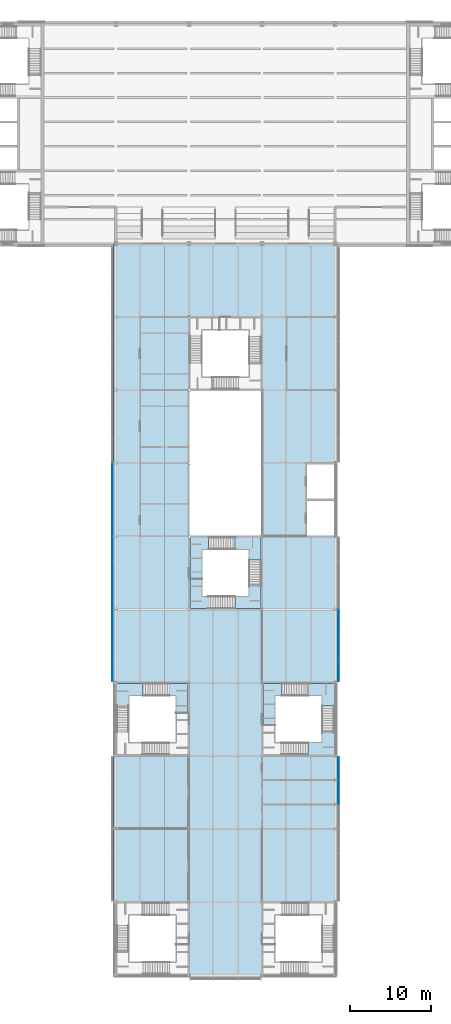
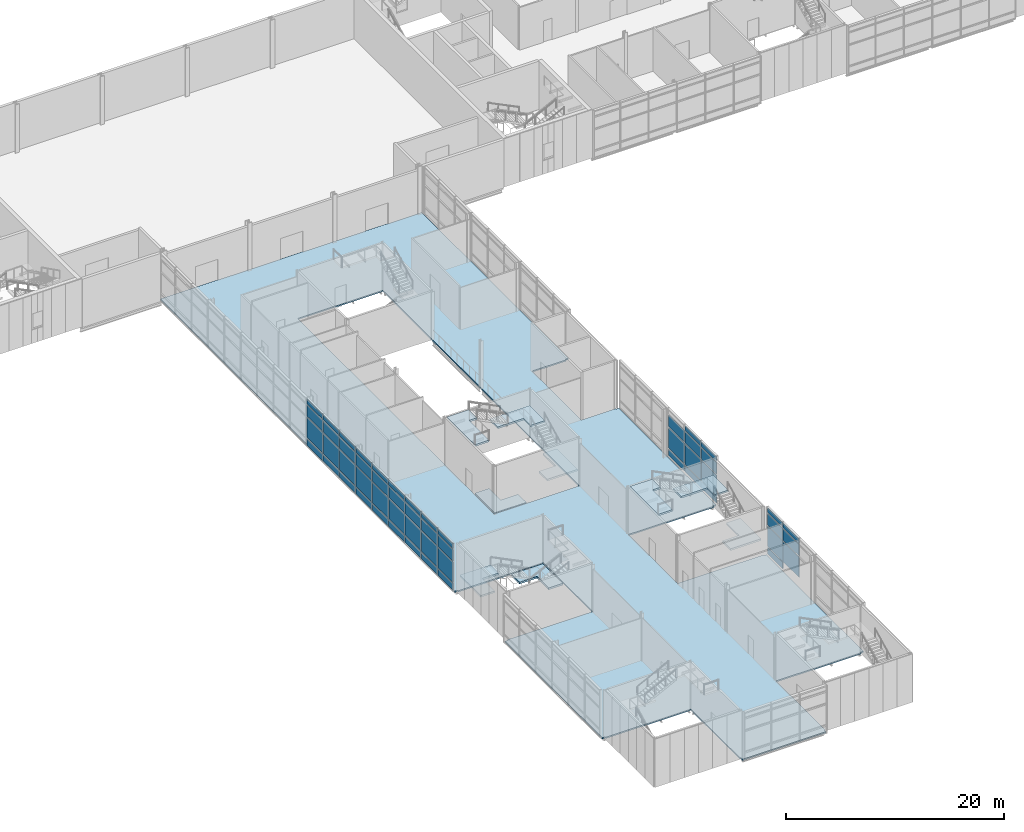
# One storey, part 26 of 52: 54 plates, 10 slabs, 6 elements without a shape of their own.
"""IFC4 building model written with IfcOpenShell, lengths in metres."""

from ifc_helpers import new_model, si_unit, direction, frame, origin, origin_2d, place, context, subcontext, project, spatial, polyline, rectangle, outline, extrude, material, layer, layer_set, type_object, element, aggregate, save


model = new_model("IFC4")

# Units and contexts
model_context = context("Model", 3, precision=1e-05, world=origin(), true_north=direction((0.0, 1.0)))
body_context = subcontext(model_context, "Body", "Model", "MODEL_VIEW")
ifc_project = project(units=[si_unit("LENGTHUNIT", "METRE"), si_unit("AREAUNIT", "SQUARE_METRE"), si_unit("VOLUMEUNIT", "CUBIC_METRE"), si_unit("PLANEANGLEUNIT", "RADIAN"), si_unit("MASSUNIT", "GRAM", prefix="KILO")], contexts=[model_context])

# Site, building, storey
site_placement = place(None, origin())
site = spatial("IfcSite", under=ifc_project, at=site_placement, CompositionType="ELEMENT")
building_placement = place(site_placement, origin())
building = spatial("IfcBuilding", under=site, at=building_placement, Name="Azimuth Sports and Learning Centre", CompositionType="ELEMENT")
storey_placement = place(building_placement, frame((0.0, 0.0, 16.199951171875)))
storey = spatial("IfcBuildingStorey", under=building, at=storey_placement, Name="L03", CompositionType="ELEMENT", Elevation=16.199951171875)

# Slab
ifc_material_1 = material(Name="Concrete C30/37", Category="concrete")
ifc_layer_1 = layer(ifc_material_1, 0.14990234375)
ifc_layer_set_1 = layer_set([ifc_layer_1], Name="Concrete C30/37")
slab_type_1 = type_object("IfcSlabType", Name="Composite floor slab 150", PredefinedType="FLOOR", material=ifc_layer_set_1)
slab_1_placement = place(storey_placement, frame((0.0, 0.0, -0.14990234375)))
element("IfcSlab", 1, at=slab_1_placement, inside=storey, type_object=slab_type_1, Name="Slab STEM L03", PredefinedType="FLOOR", context=body_context, shape_type="SweptSolid", body=[
    extrude(outline(polyline([(81.10009765625, -0.300048828125), (89.89990234375, -0.300048828125), (89.89990234375, 0.0), (90.0, 0.0), (90.0, 9.0), (99.0, 9.0), (99.0, 9.10009765625), (99.300048828125, 9.10009765625), (99.300048828125, 26.89990234375), (99.0, 26.89990234375), (99.0, 27.0), (90.0, 27.0), (90.0, 36.0), (99.0, 36.0), (99.0, 36.10009765625), (99.300048828125, 36.10009765625), (99.300048828125, 53.89990234375), (99.0, 53.89990234375), (99.0, 54.0), (95.39990234375, 54.0), (95.39990234375, 63.0), (99.0, 63.0), (99.0, 63.10009765625), (99.300048828125, 63.10009765625), (99.300048828125, 90.0), (71.699951171875, 90.0), (71.699951171875, 36.10009765625), (72.0, 36.10009765625), (72.0, 36.0), (81.0, 36.0), (81.0, 27.0), (72.0, 27.0), (72.0, 26.89990234375), (71.699951171875, 26.89990234375), (71.699951171875, 9.10009765625), (72.0, 9.10009765625), (72.0, 9.0), (81.0, 9.0), (81.0, 0.0), (81.10009765625, 0.0), (81.10009765625, -0.300048828125)]), holes=[polyline([(81.0, 45.0), (81.0, 81.0), (90.0, 81.0), (90.0, 45.0), (81.0, 45.0)])]), origin(), (0.0, 0.0, 1.0), 0.14990234375),
])

# Stair, slabs
ifc_material_2 = material(Name="Concrete C32/40", Category="concrete")
stair_type = type_object("IfcStairType", Name="Square-well stair stem cell 5400 storey", PredefinedType="THREE_QUARTER_TURN_STAIR", material=ifc_material_2)
stair_1_placement = place(storey_placement, origin())
stair_1 = element("IfcStair", 2, at=stair_1_placement, inside=storey, type_object=stair_type, Name="Stair ST3 L03-L04", PredefinedType="THREE_QUARTER_TURN_STAIR")
ifc_material_3 = material(Name="Concrete C32/40", Category="concrete")
ifc_layer_2 = layer(ifc_material_3, 0.199951171875)
ifc_layer_set_2 = layer_set([ifc_layer_2], Name="Concrete C32/40")
slab_type_2 = type_object("IfcSlabType", Name="Concrete stair landing", PredefinedType="LANDING", material=ifc_layer_set_2)
slab_2_placement = place(storey_placement, frame((0.0, 0.0, -0.199951171875)))
slab_2 = element("IfcSlab", 3, at=slab_2_placement, type_object=slab_type_2, Name="Stair ST3 L03 landing 1", PredefinedType="LANDING", context=body_context, shape_type="SweptSolid", body=[
    extrude(outline(polyline([(77.5400390625, 34.389892578125), (79.389892578125, 34.389892578125), (79.389892578125, 32.25), (80.889892578125, 32.25), (80.889892578125, 35.889892578125), (77.5400390625, 35.889892578125), (77.5400390625, 34.389892578125)])), origin(), (0.0, 0.0, 1.0), 0.199951171875),
])
slab_3_placement = place(storey_placement, frame((0.0, 0.0, 1.60009765625)))
slab_3 = element("IfcSlab", 4, at=slab_3_placement, type_object=slab_type_2, Name="Stair ST3 L03 landing 2", PredefinedType="LANDING", context=body_context, shape_type="SweptSolid", body=[
    extrude(outline(polyline([(73.610107421875, 34.389892578125), (75.3408203125, 34.389892578125), (75.3408203125, 35.889892578125), (72.110107421875, 35.889892578125), (72.110107421875, 32.090087890625), (73.610107421875, 32.090087890625), (73.610107421875, 34.389892578125)])), origin(), (0.0, 0.0, 1.0), 0.199951171875),
])
aggregate(stair_1, [slab_2, slab_3])

stair_2_placement = place(storey_placement, origin())
stair_2 = element("IfcStair", 5, at=stair_2_placement, inside=storey, type_object=stair_type, Name="Stair ST4 L03-L04", PredefinedType="THREE_QUARTER_TURN_STAIR")
slab_4_placement = place(storey_placement, frame((0.0, 0.0, 1.60009765625)))
slab_4 = element("IfcSlab", 6, at=slab_4_placement, type_object=slab_type_2, Name="Stair ST4 L03 landing 2", PredefinedType="LANDING", context=body_context, shape_type="SweptSolid", body=[
    extrude(outline(polyline([(97.389892578125, 28.610107421875), (95.6591796875, 28.610107421875), (95.6591796875, 27.110107421875), (98.889892578125, 27.110107421875), (98.889892578125, 30.909912109375), (97.389892578125, 30.909912109375), (97.389892578125, 28.610107421875)])), origin(), (0.0, 0.0, 1.0), 0.199951171875),
])
slab_5_placement = place(storey_placement, frame((0.0, 0.0, 3.400146484375)))
slab_5 = element("IfcSlab", 7, at=slab_5_placement, type_object=slab_type_2, Name="Stair ST4 L03 landing 3", PredefinedType="LANDING", context=body_context, shape_type="SweptSolid", body=[
    extrude(outline(polyline([(97.389892578125, 34.389892578125), (97.389892578125, 33.109375), (98.889892578125, 33.109375), (98.889892578125, 35.889892578125), (94.639892578125, 35.889892578125), (94.639892578125, 34.389892578125), (97.389892578125, 34.389892578125)])), origin(), (0.0, 0.0, 1.0), 0.199951171875),
])
slab_6_placement = place(storey_placement, frame((0.0, 0.0, 5.199951171875)))
slab_6 = element("IfcSlab", 8, at=slab_6_placement, type_object=slab_type_2, Name="Stair ST4 L03 landing 4", PredefinedType="LANDING", context=body_context, shape_type="SweptSolid", body=[
    extrude(outline(polyline([(91.610107421875, 34.389892578125), (92.440673828125, 34.389892578125), (92.440673828125, 35.889892578125), (90.110107421875, 35.889892578125), (90.110107421875, 30.75), (91.610107421875, 30.75), (91.610107421875, 34.389892578125)])), origin(), (0.0, 0.0, 1.0), 0.2001953125),
])
aggregate(stair_2, [slab_4, slab_5, slab_6])

stair_3_placement = place(storey_placement, origin())
stair_3 = element("IfcStair", 9, at=stair_3_placement, inside=storey, type_object=stair_type, Name="Stair STC L03-L04", PredefinedType="THREE_QUARTER_TURN_STAIR")
slab_7_placement = place(storey_placement, frame((0.0, 0.0, -0.199951171875)))
slab_7 = element("IfcSlab", 10, at=slab_7_placement, type_object=slab_type_2, Name="Stair STC L03 landing 1", PredefinedType="LANDING", context=body_context, shape_type="SweptSolid", body=[
    extrude(outline(polyline([(84.4599609375, 46.610107421875), (82.610107421875, 46.610107421875), (82.610107421875, 48.75), (81.110107421875, 48.75), (81.110107421875, 45.110107421875), (84.4599609375, 45.110107421875), (84.4599609375, 46.610107421875)])), origin(), (0.0, 0.0, 1.0), 0.199951171875),
])
slab_8_placement = place(storey_placement, frame((0.0, 0.0, 1.60009765625)))
slab_8 = element("IfcSlab", 11, at=slab_8_placement, type_object=slab_type_2, Name="Stair STC L03 landing 2", PredefinedType="LANDING", context=body_context, shape_type="SweptSolid", body=[
    extrude(outline(polyline([(88.389892578125, 46.610107421875), (86.6591796875, 46.610107421875), (86.6591796875, 45.110107421875), (89.889892578125, 45.110107421875), (89.889892578125, 48.909912109375), (88.389892578125, 48.909912109375), (88.389892578125, 46.610107421875)])), origin(), (0.0, 0.0, 1.0), 0.199951171875),
])
slab_9_placement = place(storey_placement, frame((0.0, 0.0, 3.400146484375)))
slab_9 = element("IfcSlab", 12, at=slab_9_placement, type_object=slab_type_2, Name="Stair STC L03 landing 3", PredefinedType="LANDING", context=body_context, shape_type="SweptSolid", body=[
    extrude(outline(polyline([(88.389892578125, 52.389892578125), (88.389892578125, 51.109375), (89.889892578125, 51.109375), (89.889892578125, 53.889892578125), (85.639892578125, 53.889892578125), (85.639892578125, 52.389892578125), (88.389892578125, 52.389892578125)])), origin(), (0.0, 0.0, 1.0), 0.199951171875),
])
slab_10_placement = place(storey_placement, frame((0.0, 0.0, 5.199951171875)))
slab_10 = element("IfcSlab", 13, at=slab_10_placement, type_object=slab_type_2, Name="Stair STC L03 landing 4", PredefinedType="LANDING", context=body_context, shape_type="SweptSolid", body=[
    extrude(outline(polyline([(82.610107421875, 52.389892578125), (83.440673828125, 52.389892578125), (83.440673828125, 53.889892578125), (81.110107421875, 53.889892578125), (81.110107421875, 48.75), (82.610107421875, 48.75), (82.610107421875, 52.389892578125)])), origin(), (0.0, 0.0, 1.0), 0.2001953125),
])
aggregate(stair_3, [slab_7, slab_8, slab_9, slab_10])

# Curtain wall, plates
ifc_material_4 = material(Name="Aluminium and glass", Category="aluminium")
curtain_wall_type = type_object("IfcCurtainWallType", Name="Curtain wall podium stem 240", PredefinedType="NOTDEFINED", material=ifc_material_4)
curtain_wall_1_placement = place(storey_placement, origin())
curtain_wall_1 = element("IfcCurtainWall", 14, at=curtain_wall_1_placement, inside=storey, type_object=curtain_wall_type, Name="Curtain wall CW03-003", PredefinedType="NOTDEFINED")
ifc_material_5 = material(Name="Insulated aluminium panel", Category="aluminium")
ifc_layer_3 = layer(ifc_material_5, 0.06005859375)
ifc_layer_set_3 = layer_set([ifc_layer_3], Name="Insulated aluminium panel")
plate_type_1 = type_object("IfcPlateType", Name="Spandrel panel 60 mm", PredefinedType="CURTAIN_PANEL", material=ifc_layer_set_3)
plate_1_placement = place(storey_placement, frame((71.580078125, 61.5, 0.1201171875), z_axis=(0.0, 0.0, 1.0), x_axis=(0.0, -1.0, 0.0)))
plate_1 = element("IfcPlate", 15, at=plate_1_placement, type_object=plate_type_1, Name="CW03-003 panel 10.1", PredefinedType="CURTAIN_PANEL", context=body_context, shape_type="SweptSolid", body=[
    extrude(rectangle(XDim=2.919921875, YDim=0.06005859375, at=origin_2d()), origin(), (0.0, 0.0, 1.0), 0.719970703125),
])
plate_2_placement = place(storey_placement, frame((71.580078125, 61.5, 4.760009765625), z_axis=(0.0, 0.0, 1.0), x_axis=(0.0, -1.0, 0.0)))
plate_2 = element("IfcPlate", 16, at=plate_2_placement, type_object=plate_type_1, Name="CW03-003 panel 10.4", PredefinedType="CURTAIN_PANEL", context=body_context, shape_type="SweptSolid", body=[
    extrude(rectangle(XDim=2.919921875, YDim=0.06005859375, at=origin_2d()), origin(), (0.0, 0.0, 1.0), 0.52001953125),
])
plate_3_placement = place(storey_placement, frame((71.580078125, 58.5, 0.1201171875), z_axis=(0.0, 0.0, 1.0), x_axis=(0.0, -1.0, 0.0)))
plate_3 = element("IfcPlate", 17, at=plate_3_placement, type_object=plate_type_1, Name="CW03-003 panel 11.1", PredefinedType="CURTAIN_PANEL", context=body_context, shape_type="SweptSolid", body=[
    extrude(rectangle(XDim=2.919921875, YDim=0.06005859375, at=origin_2d()), origin(), (0.0, 0.0, 1.0), 0.719970703125),
])
plate_4_placement = place(storey_placement, frame((71.580078125, 58.5, 4.760009765625), z_axis=(0.0, 0.0, 1.0), x_axis=(0.0, -1.0, 0.0)))
plate_4 = element("IfcPlate", 18, at=plate_4_placement, type_object=plate_type_1, Name="CW03-003 panel 11.4", PredefinedType="CURTAIN_PANEL", context=body_context, shape_type="SweptSolid", body=[
    extrude(rectangle(XDim=2.919921875, YDim=0.06005859375, at=origin_2d()), origin(), (0.0, 0.0, 1.0), 0.52001953125),
])
plate_5_placement = place(storey_placement, frame((71.580078125, 55.5, 0.1201171875), z_axis=(0.0, 0.0, 1.0), x_axis=(0.0, -1.0, 0.0)))
plate_5 = element("IfcPlate", 19, at=plate_5_placement, type_object=plate_type_1, Name="CW03-003 panel 12.1", PredefinedType="CURTAIN_PANEL", context=body_context, shape_type="SweptSolid", body=[
    extrude(rectangle(XDim=2.919921875, YDim=0.06005859375, at=origin_2d()), origin(), (0.0, 0.0, 1.0), 0.719970703125),
])
plate_6_placement = place(storey_placement, frame((71.580078125, 55.5, 4.760009765625), z_axis=(0.0, 0.0, 1.0), x_axis=(0.0, -1.0, 0.0)))
plate_6 = element("IfcPlate", 20, at=plate_6_placement, type_object=plate_type_1, Name="CW03-003 panel 12.4", PredefinedType="CURTAIN_PANEL", context=body_context, shape_type="SweptSolid", body=[
    extrude(rectangle(XDim=2.919921875, YDim=0.06005859375, at=origin_2d()), origin(), (0.0, 0.0, 1.0), 0.52001953125),
])
plate_7_placement = place(storey_placement, frame((71.580078125, 52.5, 0.1201171875), z_axis=(0.0, 0.0, 1.0), x_axis=(0.0, -1.0, 0.0)))
plate_7 = element("IfcPlate", 21, at=plate_7_placement, type_object=plate_type_1, Name="CW03-003 panel 13.1", PredefinedType="CURTAIN_PANEL", context=body_context, shape_type="SweptSolid", body=[
    extrude(rectangle(XDim=2.919921875, YDim=0.06005859375, at=origin_2d()), origin(), (0.0, 0.0, 1.0), 0.719970703125),
])
plate_8_placement = place(storey_placement, frame((71.580078125, 52.5, 4.760009765625), z_axis=(0.0, 0.0, 1.0), x_axis=(0.0, -1.0, 0.0)))
plate_8 = element("IfcPlate", 22, at=plate_8_placement, type_object=plate_type_1, Name="CW03-003 panel 13.4", PredefinedType="CURTAIN_PANEL", context=body_context, shape_type="SweptSolid", body=[
    extrude(rectangle(XDim=2.919921875, YDim=0.06005859375, at=origin_2d()), origin(), (0.0, 0.0, 1.0), 0.52001953125),
])
plate_9_placement = place(storey_placement, frame((71.580078125, 49.5, 0.1201171875), z_axis=(0.0, 0.0, 1.0), x_axis=(0.0, -1.0, 0.0)))
plate_9 = element("IfcPlate", 23, at=plate_9_placement, type_object=plate_type_1, Name="CW03-003 panel 14.1", PredefinedType="CURTAIN_PANEL", context=body_context, shape_type="SweptSolid", body=[
    extrude(rectangle(XDim=2.919921875, YDim=0.06005859375, at=origin_2d()), origin(), (0.0, 0.0, 1.0), 0.719970703125),
])
plate_10_placement = place(storey_placement, frame((71.580078125, 49.5, 4.760009765625), z_axis=(0.0, 0.0, 1.0), x_axis=(0.0, -1.0, 0.0)))
plate_10 = element("IfcPlate", 24, at=plate_10_placement, type_object=plate_type_1, Name="CW03-003 panel 14.4", PredefinedType="CURTAIN_PANEL", context=body_context, shape_type="SweptSolid", body=[
    extrude(rectangle(XDim=2.919921875, YDim=0.06005859375, at=origin_2d()), origin(), (0.0, 0.0, 1.0), 0.52001953125),
])
plate_11_placement = place(storey_placement, frame((71.580078125, 46.5, 0.1201171875), z_axis=(0.0, 0.0, 1.0), x_axis=(0.0, -1.0, 0.0)))
plate_11 = element("IfcPlate", 25, at=plate_11_placement, type_object=plate_type_1, Name="CW03-003 panel 15.1", PredefinedType="CURTAIN_PANEL", context=body_context, shape_type="SweptSolid", body=[
    extrude(rectangle(XDim=2.919921875, YDim=0.06005859375, at=origin_2d()), origin(), (0.0, 0.0, 1.0), 0.719970703125),
])
plate_12_placement = place(storey_placement, frame((71.580078125, 46.5, 4.760009765625), z_axis=(0.0, 0.0, 1.0), x_axis=(0.0, -1.0, 0.0)))
plate_12 = element("IfcPlate", 26, at=plate_12_placement, type_object=plate_type_1, Name="CW03-003 panel 15.4", PredefinedType="CURTAIN_PANEL", context=body_context, shape_type="SweptSolid", body=[
    extrude(rectangle(XDim=2.919921875, YDim=0.06005859375, at=origin_2d()), origin(), (0.0, 0.0, 1.0), 0.52001953125),
])
plate_13_placement = place(storey_placement, frame((71.580078125, 43.5, 0.1201171875), z_axis=(0.0, 0.0, 1.0), x_axis=(0.0, -1.0, 0.0)))
plate_13 = element("IfcPlate", 27, at=plate_13_placement, type_object=plate_type_1, Name="CW03-003 panel 16.1", PredefinedType="CURTAIN_PANEL", context=body_context, shape_type="SweptSolid", body=[
    extrude(rectangle(XDim=2.919921875, YDim=0.06005859375, at=origin_2d()), origin(), (0.0, 0.0, 1.0), 0.719970703125),
])
plate_14_placement = place(storey_placement, frame((71.580078125, 43.5, 4.760009765625), z_axis=(0.0, 0.0, 1.0), x_axis=(0.0, -1.0, 0.0)))
plate_14 = element("IfcPlate", 28, at=plate_14_placement, type_object=plate_type_1, Name="CW03-003 panel 16.4", PredefinedType="CURTAIN_PANEL", context=body_context, shape_type="SweptSolid", body=[
    extrude(rectangle(XDim=2.919921875, YDim=0.06005859375, at=origin_2d()), origin(), (0.0, 0.0, 1.0), 0.52001953125),
])
plate_15_placement = place(storey_placement, frame((71.580078125, 40.5, 0.1201171875), z_axis=(0.0, 0.0, 1.0), x_axis=(0.0, -1.0, 0.0)))
plate_15 = element("IfcPlate", 29, at=plate_15_placement, type_object=plate_type_1, Name="CW03-003 panel 17.1", PredefinedType="CURTAIN_PANEL", context=body_context, shape_type="SweptSolid", body=[
    extrude(rectangle(XDim=2.919921875, YDim=0.06005859375, at=origin_2d()), origin(), (0.0, 0.0, 1.0), 0.719970703125),
])
plate_16_placement = place(storey_placement, frame((71.580078125, 40.5, 4.760009765625), z_axis=(0.0, 0.0, 1.0), x_axis=(0.0, -1.0, 0.0)))
plate_16 = element("IfcPlate", 30, at=plate_16_placement, type_object=plate_type_1, Name="CW03-003 panel 17.4", PredefinedType="CURTAIN_PANEL", context=body_context, shape_type="SweptSolid", body=[
    extrude(rectangle(XDim=2.919921875, YDim=0.06005859375, at=origin_2d()), origin(), (0.0, 0.0, 1.0), 0.52001953125),
])
plate_17_placement = place(storey_placement, frame((71.580078125, 37.570068359375, 0.1201171875), z_axis=(0.0, 0.0, 1.0), x_axis=(0.0, -1.0, 0.0)))
plate_17 = element("IfcPlate", 31, at=plate_17_placement, type_object=plate_type_1, Name="CW03-003 panel 18.1", PredefinedType="CURTAIN_PANEL", context=body_context, shape_type="SweptSolid", body=[
    extrude(rectangle(XDim=2.780029296875, YDim=0.06005859375, at=origin_2d()), origin(), (0.0, 0.0, 1.0), 0.719970703125),
])
plate_18_placement = place(storey_placement, frame((71.580078125, 37.570068359375, 4.760009765625), z_axis=(0.0, 0.0, 1.0), x_axis=(0.0, -1.0, 0.0)))
plate_18 = element("IfcPlate", 32, at=plate_18_placement, type_object=plate_type_1, Name="CW03-003 panel 18.4", PredefinedType="CURTAIN_PANEL", context=body_context, shape_type="SweptSolid", body=[
    extrude(rectangle(XDim=2.780029296875, YDim=0.06005859375, at=origin_2d()), origin(), (0.0, 0.0, 1.0), 0.52001953125),
])

curtain_wall_2_placement = place(storey_placement, origin())
curtain_wall_2 = element("IfcCurtainWall", 33, at=curtain_wall_2_placement, inside=storey, type_object=curtain_wall_type, Name="Curtain wall CW03-006", PredefinedType="NOTDEFINED")
plate_19_placement = place(storey_placement, frame((99.419921875, 22.5, 4.760009765625), z_axis=(0.0, 0.0, 1.0), x_axis=(0.0, 1.0, 0.0)))
plate_19 = element("IfcPlate", 34, at=plate_19_placement, type_object=plate_type_1, Name="CW03-006 panel 5.4", PredefinedType="CURTAIN_PANEL", context=body_context, shape_type="SweptSolid", body=[
    extrude(rectangle(XDim=2.919921875, YDim=0.06005859375, at=origin_2d()), origin(), (0.0, 0.0, 1.0), 0.52001953125),
])
plate_20_placement = place(storey_placement, frame((99.419921875, 25.429931640625, 0.1201171875), z_axis=(0.0, 0.0, 1.0), x_axis=(0.0, 1.0, 0.0)))
plate_20 = element("IfcPlate", 35, at=plate_20_placement, type_object=plate_type_1, Name="CW03-006 panel 6.1", PredefinedType="CURTAIN_PANEL", context=body_context, shape_type="SweptSolid", body=[
    extrude(rectangle(XDim=2.780029296875, YDim=0.06005859375, at=origin_2d()), origin(), (0.0, 0.0, 1.0), 0.719970703125),
])
plate_21_placement = place(storey_placement, frame((99.419921875, 25.429931640625, 4.760009765625), z_axis=(0.0, 0.0, 1.0), x_axis=(0.0, 1.0, 0.0)))
plate_21 = element("IfcPlate", 36, at=plate_21_placement, type_object=plate_type_1, Name="CW03-006 panel 6.4", PredefinedType="CURTAIN_PANEL", context=body_context, shape_type="SweptSolid", body=[
    extrude(rectangle(XDim=2.780029296875, YDim=0.06005859375, at=origin_2d()), origin(), (0.0, 0.0, 1.0), 0.52001953125),
])

curtain_wall_3_placement = place(storey_placement, origin())
curtain_wall_3 = element("IfcCurtainWall", 37, at=curtain_wall_3_placement, inside=storey, type_object=curtain_wall_type, Name="Curtain wall CW03-007", PredefinedType="NOTDEFINED")
plate_22_placement = place(storey_placement, frame((99.419921875, 37.570068359375, 0.1201171875), z_axis=(0.0, 0.0, 1.0), x_axis=(0.0, 1.0, 0.0)))
plate_22 = element("IfcPlate", 38, at=plate_22_placement, type_object=plate_type_1, Name="CW03-007 panel 1.1", PredefinedType="CURTAIN_PANEL", context=body_context, shape_type="SweptSolid", body=[
    extrude(rectangle(XDim=2.780029296875, YDim=0.06005859375, at=origin_2d()), origin(), (0.0, 0.0, 1.0), 0.719970703125),
])
plate_23_placement = place(storey_placement, frame((99.419921875, 37.570068359375, 4.760009765625), z_axis=(0.0, 0.0, 1.0), x_axis=(0.0, 1.0, 0.0)))
plate_23 = element("IfcPlate", 39, at=plate_23_placement, type_object=plate_type_1, Name="CW03-007 panel 1.4", PredefinedType="CURTAIN_PANEL", context=body_context, shape_type="SweptSolid", body=[
    extrude(rectangle(XDim=2.780029296875, YDim=0.06005859375, at=origin_2d()), origin(), (0.0, 0.0, 1.0), 0.52001953125),
])
plate_24_placement = place(storey_placement, frame((99.419921875, 40.5, 0.1201171875), z_axis=(0.0, 0.0, 1.0), x_axis=(0.0, 1.0, 0.0)))
plate_24 = element("IfcPlate", 40, at=plate_24_placement, type_object=plate_type_1, Name="CW03-007 panel 2.1", PredefinedType="CURTAIN_PANEL", context=body_context, shape_type="SweptSolid", body=[
    extrude(rectangle(XDim=2.919921875, YDim=0.06005859375, at=origin_2d()), origin(), (0.0, 0.0, 1.0), 0.719970703125),
])
plate_25_placement = place(storey_placement, frame((99.419921875, 40.5, 4.760009765625), z_axis=(0.0, 0.0, 1.0), x_axis=(0.0, 1.0, 0.0)))
plate_25 = element("IfcPlate", 41, at=plate_25_placement, type_object=plate_type_1, Name="CW03-007 panel 2.4", PredefinedType="CURTAIN_PANEL", context=body_context, shape_type="SweptSolid", body=[
    extrude(rectangle(XDim=2.919921875, YDim=0.06005859375, at=origin_2d()), origin(), (0.0, 0.0, 1.0), 0.52001953125),
])
plate_26_placement = place(storey_placement, frame((99.419921875, 43.5, 0.1201171875), z_axis=(0.0, 0.0, 1.0), x_axis=(0.0, 1.0, 0.0)))
plate_26 = element("IfcPlate", 42, at=plate_26_placement, type_object=plate_type_1, Name="CW03-007 panel 3.1", PredefinedType="CURTAIN_PANEL", context=body_context, shape_type="SweptSolid", body=[
    extrude(rectangle(XDim=2.919921875, YDim=0.06005859375, at=origin_2d()), origin(), (0.0, 0.0, 1.0), 0.719970703125),
])

# Plate
ifc_material_6 = material(Name="Glass", Category="glass")
ifc_layer_4 = layer(ifc_material_6, 0.0439453125)
ifc_layer_set_4 = layer_set([ifc_layer_4], Name="Glass")
plate_type_2 = type_object("IfcPlateType", Name="Vision glass 44 mm", PredefinedType="CURTAIN_PANEL", material=ifc_layer_set_4)
plate_27_placement = place(storey_placement, frame((71.580078125, 61.5, 0.9599609375), z_axis=(0.0, 0.0, 1.0), x_axis=(0.0, -1.0, 0.0)))
plate_27 = element("IfcPlate", 43, at=plate_27_placement, type_object=plate_type_2, Name="CW03-003 panel 10.2", PredefinedType="CURTAIN_PANEL", context=body_context, shape_type="SweptSolid", body=[
    extrude(rectangle(XDim=2.919921875, YDim=0.0439453125, at=origin_2d()), origin(), (0.0, 0.0, 1.0), 2.280029296875),
])

plate_28_placement = place(storey_placement, frame((71.580078125, 61.5, 3.35986328125), z_axis=(0.0, 0.0, 1.0), x_axis=(0.0, -1.0, 0.0)))
plate_28 = element("IfcPlate", 44, at=plate_28_placement, type_object=plate_type_2, Name="CW03-003 panel 10.3", PredefinedType="CURTAIN_PANEL", context=body_context, shape_type="SweptSolid", body=[
    extrude(rectangle(XDim=2.919921875, YDim=0.0439453125, at=origin_2d()), origin(), (0.0, 0.0, 1.0), 1.280029296875),
])

plate_29_placement = place(storey_placement, frame((71.580078125, 58.5, 0.9599609375), z_axis=(0.0, 0.0, 1.0), x_axis=(0.0, -1.0, 0.0)))
plate_29 = element("IfcPlate", 45, at=plate_29_placement, type_object=plate_type_2, Name="CW03-003 panel 11.2", PredefinedType="CURTAIN_PANEL", context=body_context, shape_type="SweptSolid", body=[
    extrude(rectangle(XDim=2.919921875, YDim=0.0439453125, at=origin_2d()), origin(), (0.0, 0.0, 1.0), 2.280029296875),
])

plate_30_placement = place(storey_placement, frame((71.580078125, 58.5, 3.35986328125), z_axis=(0.0, 0.0, 1.0), x_axis=(0.0, -1.0, 0.0)))
plate_30 = element("IfcPlate", 46, at=plate_30_placement, type_object=plate_type_2, Name="CW03-003 panel 11.3", PredefinedType="CURTAIN_PANEL", context=body_context, shape_type="SweptSolid", body=[
    extrude(rectangle(XDim=2.919921875, YDim=0.0439453125, at=origin_2d()), origin(), (0.0, 0.0, 1.0), 1.280029296875),
])

plate_31_placement = place(storey_placement, frame((71.580078125, 55.5, 0.9599609375), z_axis=(0.0, 0.0, 1.0), x_axis=(0.0, -1.0, 0.0)))
plate_31 = element("IfcPlate", 47, at=plate_31_placement, type_object=plate_type_2, Name="CW03-003 panel 12.2", PredefinedType="CURTAIN_PANEL", context=body_context, shape_type="SweptSolid", body=[
    extrude(rectangle(XDim=2.919921875, YDim=0.0439453125, at=origin_2d()), origin(), (0.0, 0.0, 1.0), 2.280029296875),
])

plate_32_placement = place(storey_placement, frame((71.580078125, 55.5, 3.35986328125), z_axis=(0.0, 0.0, 1.0), x_axis=(0.0, -1.0, 0.0)))
plate_32 = element("IfcPlate", 48, at=plate_32_placement, type_object=plate_type_2, Name="CW03-003 panel 12.3", PredefinedType="CURTAIN_PANEL", context=body_context, shape_type="SweptSolid", body=[
    extrude(rectangle(XDim=2.919921875, YDim=0.0439453125, at=origin_2d()), origin(), (0.0, 0.0, 1.0), 1.280029296875),
])

plate_33_placement = place(storey_placement, frame((71.580078125, 52.5, 0.9599609375), z_axis=(0.0, 0.0, 1.0), x_axis=(0.0, -1.0, 0.0)))
plate_33 = element("IfcPlate", 49, at=plate_33_placement, type_object=plate_type_2, Name="CW03-003 panel 13.2", PredefinedType="CURTAIN_PANEL", context=body_context, shape_type="SweptSolid", body=[
    extrude(rectangle(XDim=2.919921875, YDim=0.0439453125, at=origin_2d()), origin(), (0.0, 0.0, 1.0), 2.280029296875),
])

plate_34_placement = place(storey_placement, frame((71.580078125, 52.5, 3.35986328125), z_axis=(0.0, 0.0, 1.0), x_axis=(0.0, -1.0, 0.0)))
plate_34 = element("IfcPlate", 50, at=plate_34_placement, type_object=plate_type_2, Name="CW03-003 panel 13.3", PredefinedType="CURTAIN_PANEL", context=body_context, shape_type="SweptSolid", body=[
    extrude(rectangle(XDim=2.919921875, YDim=0.0439453125, at=origin_2d()), origin(), (0.0, 0.0, 1.0), 1.280029296875),
])

plate_35_placement = place(storey_placement, frame((71.580078125, 49.5, 0.9599609375), z_axis=(0.0, 0.0, 1.0), x_axis=(0.0, -1.0, 0.0)))
plate_35 = element("IfcPlate", 51, at=plate_35_placement, type_object=plate_type_2, Name="CW03-003 panel 14.2", PredefinedType="CURTAIN_PANEL", context=body_context, shape_type="SweptSolid", body=[
    extrude(rectangle(XDim=2.919921875, YDim=0.0439453125, at=origin_2d()), origin(), (0.0, 0.0, 1.0), 2.280029296875),
])

plate_36_placement = place(storey_placement, frame((71.580078125, 49.5, 3.35986328125), z_axis=(0.0, 0.0, 1.0), x_axis=(0.0, -1.0, 0.0)))
plate_36 = element("IfcPlate", 52, at=plate_36_placement, type_object=plate_type_2, Name="CW03-003 panel 14.3", PredefinedType="CURTAIN_PANEL", context=body_context, shape_type="SweptSolid", body=[
    extrude(rectangle(XDim=2.919921875, YDim=0.0439453125, at=origin_2d()), origin(), (0.0, 0.0, 1.0), 1.280029296875),
])

plate_37_placement = place(storey_placement, frame((71.580078125, 46.5, 0.9599609375), z_axis=(0.0, 0.0, 1.0), x_axis=(0.0, -1.0, 0.0)))
plate_37 = element("IfcPlate", 53, at=plate_37_placement, type_object=plate_type_2, Name="CW03-003 panel 15.2", PredefinedType="CURTAIN_PANEL", context=body_context, shape_type="SweptSolid", body=[
    extrude(rectangle(XDim=2.919921875, YDim=0.0439453125, at=origin_2d()), origin(), (0.0, 0.0, 1.0), 2.280029296875),
])

plate_38_placement = place(storey_placement, frame((71.580078125, 46.5, 3.35986328125), z_axis=(0.0, 0.0, 1.0), x_axis=(0.0, -1.0, 0.0)))
plate_38 = element("IfcPlate", 54, at=plate_38_placement, type_object=plate_type_2, Name="CW03-003 panel 15.3", PredefinedType="CURTAIN_PANEL", context=body_context, shape_type="SweptSolid", body=[
    extrude(rectangle(XDim=2.919921875, YDim=0.0439453125, at=origin_2d()), origin(), (0.0, 0.0, 1.0), 1.280029296875),
])

plate_39_placement = place(storey_placement, frame((71.580078125, 43.5, 0.9599609375), z_axis=(0.0, 0.0, 1.0), x_axis=(0.0, -1.0, 0.0)))
plate_39 = element("IfcPlate", 55, at=plate_39_placement, type_object=plate_type_2, Name="CW03-003 panel 16.2", PredefinedType="CURTAIN_PANEL", context=body_context, shape_type="SweptSolid", body=[
    extrude(rectangle(XDim=2.919921875, YDim=0.0439453125, at=origin_2d()), origin(), (0.0, 0.0, 1.0), 2.280029296875),
])

plate_40_placement = place(storey_placement, frame((71.580078125, 43.5, 3.35986328125), z_axis=(0.0, 0.0, 1.0), x_axis=(0.0, -1.0, 0.0)))
plate_40 = element("IfcPlate", 56, at=plate_40_placement, type_object=plate_type_2, Name="CW03-003 panel 16.3", PredefinedType="CURTAIN_PANEL", context=body_context, shape_type="SweptSolid", body=[
    extrude(rectangle(XDim=2.919921875, YDim=0.0439453125, at=origin_2d()), origin(), (0.0, 0.0, 1.0), 1.280029296875),
])

plate_41_placement = place(storey_placement, frame((71.580078125, 40.5, 0.9599609375), z_axis=(0.0, 0.0, 1.0), x_axis=(0.0, -1.0, 0.0)))
plate_41 = element("IfcPlate", 57, at=plate_41_placement, type_object=plate_type_2, Name="CW03-003 panel 17.2", PredefinedType="CURTAIN_PANEL", context=body_context, shape_type="SweptSolid", body=[
    extrude(rectangle(XDim=2.919921875, YDim=0.0439453125, at=origin_2d()), origin(), (0.0, 0.0, 1.0), 2.280029296875),
])

plate_42_placement = place(storey_placement, frame((71.580078125, 40.5, 3.35986328125), z_axis=(0.0, 0.0, 1.0), x_axis=(0.0, -1.0, 0.0)))
plate_42 = element("IfcPlate", 58, at=plate_42_placement, type_object=plate_type_2, Name="CW03-003 panel 17.3", PredefinedType="CURTAIN_PANEL", context=body_context, shape_type="SweptSolid", body=[
    extrude(rectangle(XDim=2.919921875, YDim=0.0439453125, at=origin_2d()), origin(), (0.0, 0.0, 1.0), 1.280029296875),
])

plate_43_placement = place(storey_placement, frame((71.580078125, 37.570068359375, 0.9599609375), z_axis=(0.0, 0.0, 1.0), x_axis=(0.0, -1.0, 0.0)))
plate_43 = element("IfcPlate", 59, at=plate_43_placement, type_object=plate_type_2, Name="CW03-003 panel 18.2", PredefinedType="CURTAIN_PANEL", context=body_context, shape_type="SweptSolid", body=[
    extrude(rectangle(XDim=2.780029296875, YDim=0.0439453125, at=origin_2d()), origin(), (0.0, 0.0, 1.0), 2.280029296875),
])

plate_44_placement = place(storey_placement, frame((71.580078125, 37.570068359375, 3.35986328125), z_axis=(0.0, 0.0, 1.0), x_axis=(0.0, -1.0, 0.0)))
plate_44 = element("IfcPlate", 60, at=plate_44_placement, type_object=plate_type_2, Name="CW03-003 panel 18.3", PredefinedType="CURTAIN_PANEL", context=body_context, shape_type="SweptSolid", body=[
    extrude(rectangle(XDim=2.780029296875, YDim=0.0439453125, at=origin_2d()), origin(), (0.0, 0.0, 1.0), 1.280029296875),
])

aggregate(curtain_wall_1, [plate_1, plate_27, plate_28, plate_2, plate_3, plate_29, plate_30, plate_4, plate_5, plate_31, plate_32, plate_6, plate_7, plate_33, plate_34, plate_8, plate_9, plate_35, plate_36, plate_10, plate_11, plate_37, plate_38, plate_12, plate_13, plate_39, plate_40, plate_14, plate_15, plate_41, plate_42, plate_16, plate_17, plate_43, plate_44, plate_18])

plate_45_placement = place(storey_placement, frame((99.419921875, 22.5, 0.9599609375), z_axis=(0.0, 0.0, 1.0), x_axis=(0.0, 1.0, 0.0)))
plate_45 = element("IfcPlate", 61, at=plate_45_placement, type_object=plate_type_2, Name="CW03-006 panel 5.2", PredefinedType="CURTAIN_PANEL", context=body_context, shape_type="SweptSolid", body=[
    extrude(rectangle(XDim=2.919921875, YDim=0.0439453125, at=origin_2d()), origin(), (0.0, 0.0, 1.0), 2.280029296875),
])

plate_46_placement = place(storey_placement, frame((99.419921875, 22.5, 3.35986328125), z_axis=(0.0, 0.0, 1.0), x_axis=(0.0, 1.0, 0.0)))
plate_46 = element("IfcPlate", 62, at=plate_46_placement, type_object=plate_type_2, Name="CW03-006 panel 5.3", PredefinedType="CURTAIN_PANEL", context=body_context, shape_type="SweptSolid", body=[
    extrude(rectangle(XDim=2.919921875, YDim=0.0439453125, at=origin_2d()), origin(), (0.0, 0.0, 1.0), 1.280029296875),
])

plate_47_placement = place(storey_placement, frame((99.419921875, 25.429931640625, 0.9599609375), z_axis=(0.0, 0.0, 1.0), x_axis=(0.0, 1.0, 0.0)))
plate_47 = element("IfcPlate", 63, at=plate_47_placement, type_object=plate_type_2, Name="CW03-006 panel 6.2", PredefinedType="CURTAIN_PANEL", context=body_context, shape_type="SweptSolid", body=[
    extrude(rectangle(XDim=2.780029296875, YDim=0.0439453125, at=origin_2d()), origin(), (0.0, 0.0, 1.0), 2.280029296875),
])

plate_48_placement = place(storey_placement, frame((99.419921875, 25.429931640625, 3.35986328125), z_axis=(0.0, 0.0, 1.0), x_axis=(0.0, 1.0, 0.0)))
plate_48 = element("IfcPlate", 64, at=plate_48_placement, type_object=plate_type_2, Name="CW03-006 panel 6.3", PredefinedType="CURTAIN_PANEL", context=body_context, shape_type="SweptSolid", body=[
    extrude(rectangle(XDim=2.780029296875, YDim=0.0439453125, at=origin_2d()), origin(), (0.0, 0.0, 1.0), 1.280029296875),
])

aggregate(curtain_wall_2, [plate_45, plate_46, plate_19, plate_20, plate_47, plate_48, plate_21])

plate_49_placement = place(storey_placement, frame((99.419921875, 37.570068359375, 0.9599609375), z_axis=(0.0, 0.0, 1.0), x_axis=(0.0, 1.0, 0.0)))
plate_49 = element("IfcPlate", 65, at=plate_49_placement, type_object=plate_type_2, Name="CW03-007 panel 1.2", PredefinedType="CURTAIN_PANEL", context=body_context, shape_type="SweptSolid", body=[
    extrude(rectangle(XDim=2.780029296875, YDim=0.0439453125, at=origin_2d()), origin(), (0.0, 0.0, 1.0), 2.280029296875),
])

plate_50_placement = place(storey_placement, frame((99.419921875, 37.570068359375, 3.35986328125), z_axis=(0.0, 0.0, 1.0), x_axis=(0.0, 1.0, 0.0)))
plate_50 = element("IfcPlate", 66, at=plate_50_placement, type_object=plate_type_2, Name="CW03-007 panel 1.3", PredefinedType="CURTAIN_PANEL", context=body_context, shape_type="SweptSolid", body=[
    extrude(rectangle(XDim=2.780029296875, YDim=0.0439453125, at=origin_2d()), origin(), (0.0, 0.0, 1.0), 1.280029296875),
])

plate_51_placement = place(storey_placement, frame((99.419921875, 40.5, 0.9599609375), z_axis=(0.0, 0.0, 1.0), x_axis=(0.0, 1.0, 0.0)))
plate_51 = element("IfcPlate", 67, at=plate_51_placement, type_object=plate_type_2, Name="CW03-007 panel 2.2", PredefinedType="CURTAIN_PANEL", context=body_context, shape_type="SweptSolid", body=[
    extrude(rectangle(XDim=2.919921875, YDim=0.0439453125, at=origin_2d()), origin(), (0.0, 0.0, 1.0), 2.280029296875),
])

plate_52_placement = place(storey_placement, frame((99.419921875, 40.5, 3.35986328125), z_axis=(0.0, 0.0, 1.0), x_axis=(0.0, 1.0, 0.0)))
plate_52 = element("IfcPlate", 68, at=plate_52_placement, type_object=plate_type_2, Name="CW03-007 panel 2.3", PredefinedType="CURTAIN_PANEL", context=body_context, shape_type="SweptSolid", body=[
    extrude(rectangle(XDim=2.919921875, YDim=0.0439453125, at=origin_2d()), origin(), (0.0, 0.0, 1.0), 1.280029296875),
])

plate_53_placement = place(storey_placement, frame((99.419921875, 43.5, 0.9599609375), z_axis=(0.0, 0.0, 1.0), x_axis=(0.0, 1.0, 0.0)))
plate_53 = element("IfcPlate", 69, at=plate_53_placement, type_object=plate_type_2, Name="CW03-007 panel 3.2", PredefinedType="CURTAIN_PANEL", context=body_context, shape_type="SweptSolid", body=[
    extrude(rectangle(XDim=2.919921875, YDim=0.0439453125, at=origin_2d()), origin(), (0.0, 0.0, 1.0), 2.280029296875),
])

plate_54_placement = place(storey_placement, frame((99.419921875, 43.5, 3.35986328125), z_axis=(0.0, 0.0, 1.0), x_axis=(0.0, 1.0, 0.0)))
plate_54 = element("IfcPlate", 70, at=plate_54_placement, type_object=plate_type_2, Name="CW03-007 panel 3.3", PredefinedType="CURTAIN_PANEL", context=body_context, shape_type="SweptSolid", body=[
    extrude(rectangle(XDim=2.919921875, YDim=0.0439453125, at=origin_2d()), origin(), (0.0, 0.0, 1.0), 1.280029296875),
])

aggregate(curtain_wall_3, [plate_22, plate_49, plate_50, plate_23, plate_24, plate_51, plate_52, plate_25, plate_26, plate_53, plate_54])

save(model, "model.ifc")
